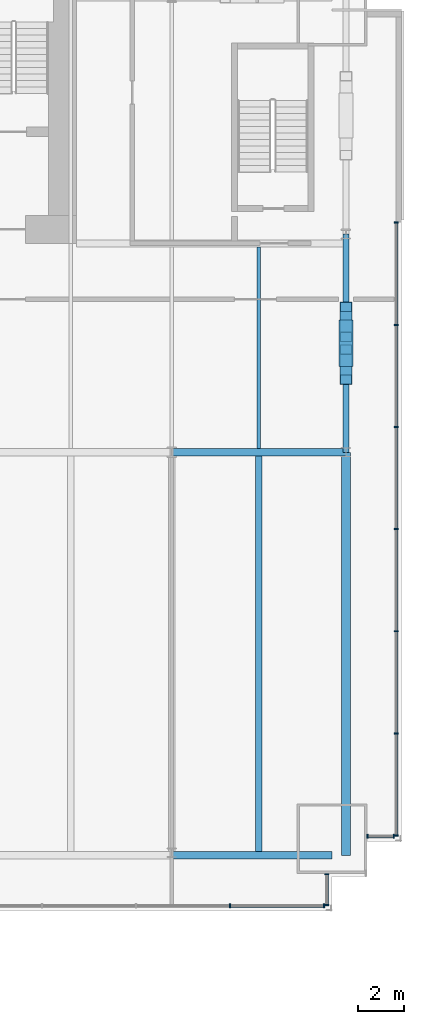
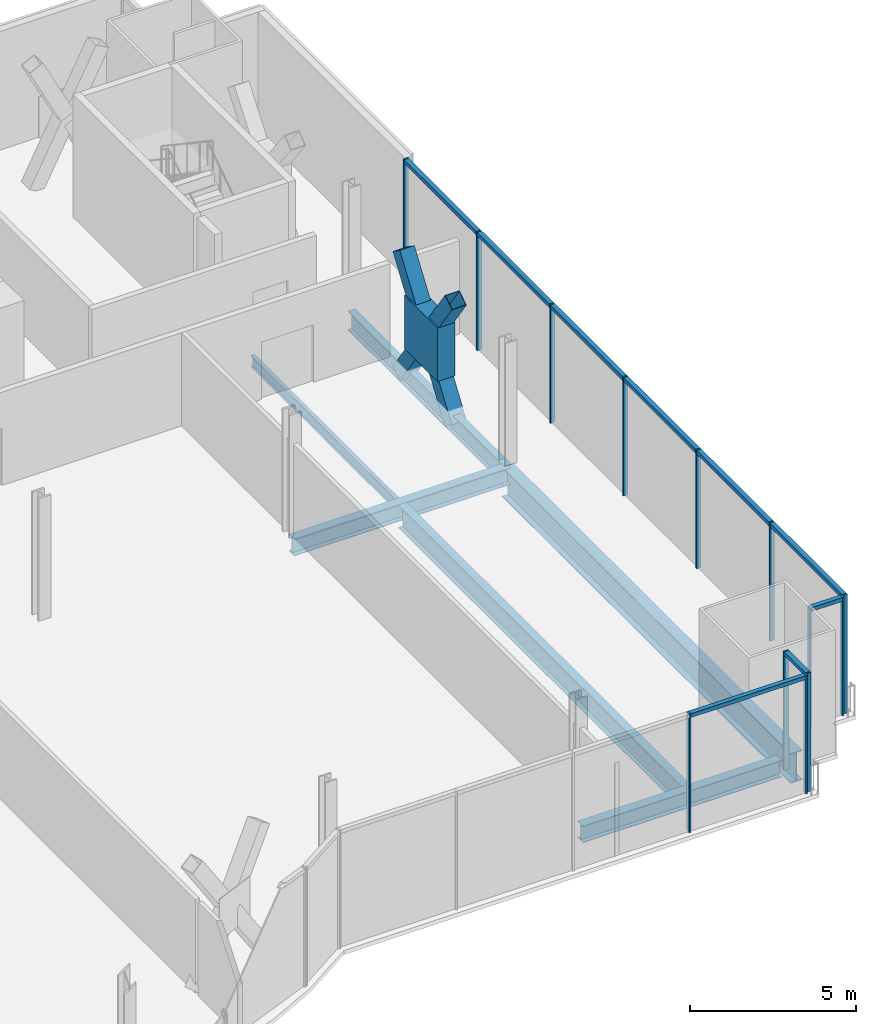
# One storey, part 12 of 22: 27 members, 6 beams, 4 elements without a shape of their own.
"""IFC4 building model written with IfcOpenShell, lengths in metres."""

from ifc_helpers import new_model, si_unit, direction, frame, origin, origin_2d, place, context, subcontext, project, spatial, rectangle, hollow_rectangle, i_section, extrude, material, material_profile, profile_set, type_object, element, aggregate, save


model = new_model("IFC4")

# Units and contexts
model_context = context("Model", 3, precision=1e-05, world=origin(), true_north=direction((0.0, 1.0)))
body_context = subcontext(model_context, "Body", "Model", "MODEL_VIEW")
ifc_project = project(units=[si_unit("LENGTHUNIT", "METRE"), si_unit("AREAUNIT", "SQUARE_METRE"), si_unit("VOLUMEUNIT", "CUBIC_METRE"), si_unit("PLANEANGLEUNIT", "RADIAN"), si_unit("MASSUNIT", "GRAM", prefix="KILO")], contexts=[model_context])

# Site, building, storey
site_placement = place(None, origin())
site = spatial("IfcSite", under=ifc_project, at=site_placement, CompositionType="ELEMENT")
building_placement = place(site_placement, origin())
building = spatial("IfcBuilding", under=site, at=building_placement, Name="Bicima Exchange Tower", CompositionType="ELEMENT")
storey_placement = place(building_placement, frame((0.0, 0.0, 39.5)))
storey = spatial("IfcBuildingStorey", under=building, at=storey_placement, Name="L07", CompositionType="ELEMENT", Elevation=39.5)

# Member
ifc_material_1 = material(Name="Steel ASTM A572 Gr 50", Category="steel")
ifc_material_profile_1 = material_profile(ifc_material_1, rectangle(XDim=0.60791015625, YDim=1.985107421875, at=origin_2d()))
ifc_profile_set_1 = profile_set([ifc_material_profile_1], Name="Steel ASTM A572 Gr 50")
member_type_1 = type_object("IfcMemberType", Name="Brace crossing node 608 x 1985", PredefinedType="POST", material=ifc_profile_set_1)
member_1_placement = place(storey_placement, frame((33.60009765625, -17.300048828125, 0.770751953125), z_axis=(0.0, 0.0, 1.0), x_axis=(1.0, 0.0, 0.0)))
element("IfcMember", 1, at=member_1_placement, inside=storey, type_object=member_type_1, Name="Brace crossing node block", PredefinedType="POST", context=body_context, shape_type="SweptSolid", body=[
    extrude(rectangle(XDim=0.60791015625, YDim=1.985107421875, at=origin_2d()), origin(), (0.0, 0.0, 1.0), 1.965087890625),
])

# Curtain wall, members
ifc_material_2 = material(Name="Anodised bronze aluminium", Category="aluminium")
curtain_wall_type_1 = type_object("IfcCurtainWallType", Name="End face glass wall", PredefinedType="NOTDEFINED", material=ifc_material_2)
curtain_wall_1_placement = place(storey_placement, origin())
curtain_wall_1 = element("IfcCurtainWall", 2, at=curtain_wall_1_placement, inside=storey, type_object=curtain_wall_type_1, Name="End face glass wall L07 run 19", PredefinedType="NOTDEFINED")
ifc_material_profile_2 = material_profile(ifc_material_2, rectangle(XDim=0.159912109375, YDim=0.06005859375, at=origin_2d()))
ifc_profile_set_2 = profile_set([ifc_material_profile_2], Name="Anodised bronze aluminium")
member_type_2 = type_object("IfcMemberType", Name="End face glass wall mullion 60 x 160", PredefinedType="MULLION", material=ifc_profile_set_2)
member_2_placement = place(storey_placement, frame((35.77001953125, -38.49609375, 0.0), z_axis=(0.0, 0.0, 1.0), x_axis=(-1.0, 0.0, 0.0)))
member_2 = element("IfcMember", 3, at=member_2_placement, type_object=member_type_2, Name="End face glass wall mullion 1", PredefinedType="MULLION", context=body_context, shape_type="SweptSolid", body=[
    extrude(rectangle(XDim=0.159912109375, YDim=0.06005859375, at=origin_2d()), origin(), (0.0, 0.0, 1.0), 4.35009765625),
])
member_3_placement = place(storey_placement, frame((35.77001953125, -34.098388671875, 0.0), z_axis=(0.0, 0.0, 1.0), x_axis=(-1.0, 0.0, 0.0)))
member_3 = element("IfcMember", 4, at=member_3_placement, type_object=member_type_2, Name="End face glass wall mullion 2", PredefinedType="MULLION", context=body_context, shape_type="SweptSolid", body=[
    extrude(rectangle(XDim=0.159912109375, YDim=0.06005859375, at=origin_2d()), origin(), (0.0, 0.0, 1.0), 4.35009765625),
])
member_4_placement = place(storey_placement, frame((35.77001953125, -29.70068359375, 0.0), z_axis=(0.0, 0.0, 1.0), x_axis=(-1.0, 0.0, 0.0)))
member_4 = element("IfcMember", 5, at=member_4_placement, type_object=member_type_2, Name="End face glass wall mullion 3", PredefinedType="MULLION", context=body_context, shape_type="SweptSolid", body=[
    extrude(rectangle(XDim=0.159912109375, YDim=0.06005859375, at=origin_2d()), origin(), (0.0, 0.0, 1.0), 4.35009765625),
])
member_5_placement = place(storey_placement, frame((35.77001953125, -25.302978515625, 0.0), z_axis=(0.0, 0.0, 1.0), x_axis=(-1.0, 0.0, 0.0)))
member_5 = element("IfcMember", 6, at=member_5_placement, type_object=member_type_2, Name="End face glass wall mullion 4", PredefinedType="MULLION", context=body_context, shape_type="SweptSolid", body=[
    extrude(rectangle(XDim=0.159912109375, YDim=0.06005859375, at=origin_2d()), origin(), (0.0, 0.0, 1.0), 4.35009765625),
])
member_6_placement = place(storey_placement, frame((35.77001953125, -20.9052734375, 0.0), z_axis=(0.0, 0.0, 1.0), x_axis=(-1.0, 0.0, 0.0)))
member_6 = element("IfcMember", 7, at=member_6_placement, type_object=member_type_2, Name="End face glass wall mullion 5", PredefinedType="MULLION", context=body_context, shape_type="SweptSolid", body=[
    extrude(rectangle(XDim=0.159912109375, YDim=0.06005859375, at=origin_2d()), origin(), (0.0, 0.0, 1.0), 4.35009765625),
])
member_7_placement = place(storey_placement, frame((35.77001953125, -16.5078125, 0.0), z_axis=(0.0, 0.0, 1.0), x_axis=(-1.0, 0.0, 0.0)))
member_7 = element("IfcMember", 8, at=member_7_placement, type_object=member_type_2, Name="End face glass wall mullion 6", PredefinedType="MULLION", context=body_context, shape_type="SweptSolid", body=[
    extrude(rectangle(XDim=0.159912109375, YDim=0.06005859375, at=origin_2d()), origin(), (0.0, 0.0, 1.0), 4.35009765625),
])
member_8_placement = place(storey_placement, frame((35.77001953125, -12.110107421875, 0.0), z_axis=(0.0, 0.0, 1.0), x_axis=(-1.0, 0.0, 0.0)))
member_8 = element("IfcMember", 9, at=member_8_placement, type_object=member_type_2, Name="End face glass wall mullion 7", PredefinedType="MULLION", context=body_context, shape_type="SweptSolid", body=[
    extrude(rectangle(XDim=0.159912109375, YDim=0.06005859375, at=origin_2d()), origin(), (0.0, 0.0, 1.0), 4.35009765625),
])
ifc_material_profile_3 = material_profile(ifc_material_2, rectangle(XDim=0.159912109375, YDim=0.139892578125, at=origin_2d()))
ifc_profile_set_3 = profile_set([ifc_material_profile_3], Name="Anodised bronze aluminium")
member_type_3 = type_object("IfcMemberType", Name="End face glass wall transom 140 x 160", PredefinedType="USERDEFINED", material=ifc_profile_set_3)
member_9_placement = place(storey_placement, frame((35.77001953125, -38.466064453125, 4.280029296875), z_axis=(0.0, 1.0, 0.0), x_axis=(-1.0, 0.0, 0.0)))
member_9 = element("IfcMember", 10, at=member_9_placement, type_object=member_type_3, Name="End face glass wall transom 1.1", ObjectType="TRANSOM", PredefinedType="USERDEFINED", context=body_context, shape_type="SweptSolid", body=[
    extrude(rectangle(XDim=0.159912109375, YDim=0.139892578125, at=origin_2d()), origin(), (0.0, 0.0, 1.0), 4.337646484375),
])
member_10_placement = place(storey_placement, frame((35.77001953125, -34.068359375, 4.280029296875), z_axis=(0.0, 1.0, 0.0), x_axis=(-1.0, 0.0, 0.0)))
member_10 = element("IfcMember", 11, at=member_10_placement, type_object=member_type_3, Name="End face glass wall transom 2.1", ObjectType="TRANSOM", PredefinedType="USERDEFINED", context=body_context, shape_type="SweptSolid", body=[
    extrude(rectangle(XDim=0.159912109375, YDim=0.139892578125, at=origin_2d()), origin(), (0.0, 0.0, 1.0), 4.337646484375),
])
member_11_placement = place(storey_placement, frame((35.77001953125, -29.670654296875, 4.280029296875), z_axis=(0.0, 1.0, 0.0), x_axis=(-1.0, 0.0, 0.0)))
member_11 = element("IfcMember", 12, at=member_11_placement, type_object=member_type_3, Name="End face glass wall transom 3.1", ObjectType="TRANSOM", PredefinedType="USERDEFINED", context=body_context, shape_type="SweptSolid", body=[
    extrude(rectangle(XDim=0.159912109375, YDim=0.139892578125, at=origin_2d()), origin(), (0.0, 0.0, 1.0), 4.337646484375),
])
member_12_placement = place(storey_placement, frame((35.77001953125, -25.27294921875, 4.280029296875), z_axis=(0.0, 1.0, 0.0), x_axis=(-1.0, 0.0, 0.0)))
member_12 = element("IfcMember", 13, at=member_12_placement, type_object=member_type_3, Name="End face glass wall transom 4.1", ObjectType="TRANSOM", PredefinedType="USERDEFINED", context=body_context, shape_type="SweptSolid", body=[
    extrude(rectangle(XDim=0.159912109375, YDim=0.139892578125, at=origin_2d()), origin(), (0.0, 0.0, 1.0), 4.337646484375),
])
member_13_placement = place(storey_placement, frame((35.77001953125, -20.875244140625, 4.280029296875), z_axis=(0.0, 1.0, 0.0), x_axis=(-1.0, 0.0, 0.0)))
member_13 = element("IfcMember", 14, at=member_13_placement, type_object=member_type_3, Name="End face glass wall transom 5.1", ObjectType="TRANSOM", PredefinedType="USERDEFINED", context=body_context, shape_type="SweptSolid", body=[
    extrude(rectangle(XDim=0.159912109375, YDim=0.139892578125, at=origin_2d()), origin(), (0.0, 0.0, 1.0), 4.337646484375),
])
member_14_placement = place(storey_placement, frame((35.77001953125, -16.477783203125, 4.280029296875), z_axis=(0.0, 1.0, 0.0), x_axis=(-1.0, 0.0, 0.0)))
member_14 = element("IfcMember", 15, at=member_14_placement, type_object=member_type_3, Name="End face glass wall transom 6.1", ObjectType="TRANSOM", PredefinedType="USERDEFINED", context=body_context, shape_type="SweptSolid", body=[
    extrude(rectangle(XDim=0.159912109375, YDim=0.139892578125, at=origin_2d()), origin(), (0.0, 0.0, 1.0), 4.337890625),
])
aggregate(curtain_wall_1, [member_2, member_3, member_4, member_5, member_6, member_7, member_8, member_9, member_10, member_11, member_12, member_13, member_14])

# Beams
ifc_material_3 = material(Name="Steel ASTM A992 Gr 50", Category="steel")
ifc_material_profile_4 = material_profile(ifc_material_3, i_section(OverallWidth=0.256591796875, OverallDepth=0.693359375, WebThickness=0.014404296875, FlangeThickness=0.023681640625, at=origin_2d()))
ifc_profile_set_4 = profile_set([ifc_material_profile_4], Name="Steel ASTM A992 Gr 50")
beam_type_1 = type_object("IfcBeamType", Name="End girder W27x114", PredefinedType="BEAM", material=ifc_profile_set_4)
beam_1_placement = place(storey_placement, frame((33.60009765625, -12.60009765625, -0.49658203125), z_axis=(0.0, -1.0, 0.0), x_axis=(1.0, 0.0, 0.0)))
element("IfcBeam", 16, at=beam_1_placement, inside=storey, type_object=beam_type_1, Name="End girder", PredefinedType="BEAM", context=body_context, shape_type="SweptSolid", body=[
    extrude(i_section(OverallWidth=0.256591796875, OverallDepth=0.693359375, WebThickness=0.014404296875, FlangeThickness=0.023681640625, at=origin_2d()), origin(), (0.0, 0.0, 1.0), 9.39990234375),
])
ifc_material_profile_5 = material_profile(ifc_material_3, i_section(OverallWidth=0.4013671875, OverallDepth=1.089599609375, WebThickness=0.01806640625, FlangeThickness=0.031005859375, at=origin_2d()))
ifc_profile_set_5 = profile_set([ifc_material_profile_5], Name="Steel ASTM A992 Gr 50")
beam_type_2 = type_object("IfcBeamType", Name="End girder W44x230", PredefinedType="BEAM", material=ifc_profile_set_5)
beam_2_placement = place(storey_placement, frame((33.60009765625, -22.0, -0.69482421875), z_axis=(0.0, -1.0, 0.0), x_axis=(1.0, 0.0, 0.0)))
element("IfcBeam", 17, at=beam_2_placement, inside=storey, type_object=beam_type_2, Name="End girder", PredefinedType="BEAM", context=body_context, shape_type="SweptSolid", body=[
    extrude(i_section(OverallWidth=0.4013671875, OverallDepth=1.089599609375, WebThickness=0.01806640625, FlangeThickness=0.031005859375, at=origin_2d()), origin(), (0.0, 0.0, 1.0), 17.35595703125),
])
ifc_material_profile_6 = material_profile(ifc_material_3, i_section(OverallWidth=0.140380859375, OverallDepth=0.40380859375, WebThickness=0.007080078125, FlangeThickness=0.01123046875, at=origin_2d()))
ifc_profile_set_6 = profile_set([ifc_material_profile_6], Name="Steel ASTM A992 Gr 50")
beam_type_3 = type_object("IfcBeamType", Name="Floor beam W16x31", PredefinedType="JOIST", material=ifc_profile_set_6)
beam_3_placement = place(storey_placement, frame((29.85009765625, -13.15234375, -0.351806640625), z_axis=(0.0, -1.0, 0.0), x_axis=(1.0, 0.0, 0.0)))
element("IfcBeam", 18, at=beam_3_placement, inside=storey, type_object=beam_type_3, Name="Floor beam", PredefinedType="JOIST", context=body_context, shape_type="SweptSolid", body=[
    extrude(i_section(OverallWidth=0.140380859375, OverallDepth=0.40380859375, WebThickness=0.007080078125, FlangeThickness=0.01123046875, at=origin_2d()), origin(), (0.0, 0.0, 1.0), 8.68505859375),
])
ifc_material_profile_7 = material_profile(ifc_material_3, i_section(OverallWidth=0.2919921875, OverallDepth=0.835693359375, WebThickness=0.013916015625, FlangeThickness=0.018798828125, at=origin_2d()))
ifc_profile_set_7 = profile_set([ifc_material_profile_7], Name="Steel ASTM A992 Gr 50")
beam_type_4 = type_object("IfcBeamType", Name="Floor beam W33x118", PredefinedType="JOIST", material=ifc_profile_set_7)
beam_4_placement = place(storey_placement, frame((29.85009765625, -22.16259765625, -0.56787109375), z_axis=(0.0, -1.0, 0.0), x_axis=(1.0, 0.0, 0.0)))
element("IfcBeam", 19, at=beam_4_placement, inside=storey, type_object=beam_type_4, Name="Floor beam", PredefinedType="JOIST", context=body_context, shape_type="SweptSolid", body=[
    extrude(i_section(OverallWidth=0.2919921875, OverallDepth=0.835693359375, WebThickness=0.013916015625, FlangeThickness=0.018798828125, at=origin_2d()), origin(), (0.0, 0.0, 1.0), 17.03076171875),
])
ifc_material_profile_8 = material_profile(ifc_material_3, i_section(OverallWidth=0.3251953125, OverallDepth=0.612060546875, WebThickness=0.0126953125, FlangeThickness=0.01904296875, at=origin_2d()))
ifc_profile_set_8 = profile_set([ifc_material_profile_8], Name="Steel ASTM A992 Gr 50")
beam_type_5 = type_object("IfcBeamType", Name="Front girder W24x104", PredefinedType="BEAM", material=ifc_profile_set_8)
beam_5_placement = place(storey_placement, frame((26.10009765625, -39.35595703125, -0.4560546875), z_axis=(1.0, 0.0, 0.0), x_axis=(0.0, 1.0, 0.0)))
element("IfcBeam", 20, at=beam_5_placement, inside=storey, type_object=beam_type_5, Name="Front girder", PredefinedType="BEAM", context=body_context, shape_type="SweptSolid", body=[
    extrude(i_section(OverallWidth=0.3251953125, OverallDepth=0.612060546875, WebThickness=0.0126953125, FlangeThickness=0.01904296875, at=origin_2d()), origin(), (0.0, 0.0, 1.0), 6.89990234375),
])

# Curtain wall, members
curtain_wall_type_2 = type_object("IfcCurtainWallType", Name="Front glass wall", PredefinedType="NOTDEFINED", material=ifc_material_2)
curtain_wall_2_placement = place(storey_placement, origin())
curtain_wall_2 = element("IfcCurtainWall", 21, at=curtain_wall_2_placement, inside=storey, type_object=curtain_wall_type_2, Name="Front glass wall L07 run 16", PredefinedType="NOTDEFINED")
member_type_4 = type_object("IfcMemberType", Name="Front glass wall mullion 60 x 160", PredefinedType="MULLION", material=ifc_profile_set_2)
member_15_placement = place(storey_placement, frame((28.610595703125, -41.52587890625, 0.0), z_axis=(0.0, 0.0, 1.0), x_axis=(0.0, 1.0, 0.0)))
member_15 = element("IfcMember", 22, at=member_15_placement, type_object=member_type_4, Name="Front glass wall mullion 4", PredefinedType="MULLION", context=body_context, shape_type="SweptSolid", body=[
    extrude(rectangle(XDim=0.159912109375, YDim=0.06005859375, at=origin_2d()), origin(), (0.0, 0.0, 1.0), 4.35009765625),
])
member_16_placement = place(storey_placement, frame((32.659912109375, -41.52587890625, 0.0), z_axis=(0.0, 0.0, 1.0), x_axis=(0.0, 1.0, 0.0)))
member_16 = element("IfcMember", 23, at=member_16_placement, type_object=member_type_4, Name="Front glass wall mullion 5", PredefinedType="MULLION", context=body_context, shape_type="SweptSolid", body=[
    extrude(rectangle(XDim=0.159912109375, YDim=0.06005859375, at=origin_2d()), origin(), (0.0, 0.0, 1.0), 4.35009765625),
])

curtain_wall_3_placement = place(storey_placement, origin())
curtain_wall_3 = element("IfcCurtainWall", 24, at=curtain_wall_3_placement, inside=storey, type_object=curtain_wall_type_2, Name="Front glass wall L07 run 17", PredefinedType="NOTDEFINED")
member_17_placement = place(storey_placement, frame((32.77001953125, -41.49609375, 0.0), z_axis=(0.0, 0.0, 1.0), x_axis=(-1.0, 0.0, 0.0)))
member_17 = element("IfcMember", 25, at=member_17_placement, type_object=member_type_4, Name="Front glass wall mullion 1", PredefinedType="MULLION", context=body_context, shape_type="SweptSolid", body=[
    extrude(rectangle(XDim=0.159912109375, YDim=0.06005859375, at=origin_2d()), origin(), (0.0, 0.0, 1.0), 4.35009765625),
])
member_18_placement = place(storey_placement, frame((32.77001953125, -40.1640625, 0.0), z_axis=(0.0, 0.0, 1.0), x_axis=(-1.0, 0.0, 0.0)))
member_18 = element("IfcMember", 26, at=member_18_placement, type_object=member_type_4, Name="Front glass wall mullion 2", PredefinedType="MULLION", context=body_context, shape_type="SweptSolid", body=[
    extrude(rectangle(XDim=0.159912109375, YDim=0.06005859375, at=origin_2d()), origin(), (0.0, 0.0, 1.0), 4.35009765625),
])

curtain_wall_4_placement = place(storey_placement, origin())
curtain_wall_4 = element("IfcCurtainWall", 27, at=curtain_wall_4_placement, inside=storey, type_object=curtain_wall_type_2, Name="Front glass wall L07 run 18", PredefinedType="NOTDEFINED")
member_19_placement = place(storey_placement, frame((34.530029296875, -38.52587890625, 0.0), z_axis=(0.0, 0.0, 1.0), x_axis=(0.0, 1.0, 0.0)))
member_19 = element("IfcMember", 28, at=member_19_placement, type_object=member_type_4, Name="Front glass wall mullion 1", PredefinedType="MULLION", context=body_context, shape_type="SweptSolid", body=[
    extrude(rectangle(XDim=0.159912109375, YDim=0.06005859375, at=origin_2d()), origin(), (0.0, 0.0, 1.0), 4.35009765625),
])
member_20_placement = place(storey_placement, frame((35.659912109375, -38.52587890625, 0.0), z_axis=(0.0, 0.0, 1.0), x_axis=(0.0, 1.0, 0.0)))
member_20 = element("IfcMember", 29, at=member_20_placement, type_object=member_type_4, Name="Front glass wall mullion 2", PredefinedType="MULLION", context=body_context, shape_type="SweptSolid", body=[
    extrude(rectangle(XDim=0.159912109375, YDim=0.06005859375, at=origin_2d()), origin(), (0.0, 0.0, 1.0), 4.35009765625),
])

# Member
member_type_5 = type_object("IfcMemberType", Name="Front glass wall transom 140 x 160", PredefinedType="USERDEFINED", material=ifc_profile_set_3)
member_21_placement = place(storey_placement, frame((28.640380859375, -41.52587890625, 4.280029296875), z_axis=(1.0, 0.0, 0.0), x_axis=(0.0, 1.0, 0.0)))
member_21 = element("IfcMember", 30, at=member_21_placement, type_object=member_type_5, Name="Front glass wall transom 4.1", ObjectType="TRANSOM", PredefinedType="USERDEFINED", context=body_context, shape_type="SweptSolid", body=[
    extrude(rectangle(XDim=0.159912109375, YDim=0.139892578125, at=origin_2d()), origin(), (0.0, 0.0, 1.0), 3.989501953125),
])

aggregate(curtain_wall_2, [member_15, member_16, member_21])

member_22_placement = place(storey_placement, frame((32.77001953125, -41.466064453125, 4.280029296875), z_axis=(0.0, 1.0, 0.0), x_axis=(-1.0, 0.0, 0.0)))
member_22 = element("IfcMember", 31, at=member_22_placement, type_object=member_type_5, Name="Front glass wall transom 1.1", ObjectType="TRANSOM", PredefinedType="USERDEFINED", context=body_context, shape_type="SweptSolid", body=[
    extrude(rectangle(XDim=0.159912109375, YDim=0.139892578125, at=origin_2d()), origin(), (0.0, 0.0, 1.0), 1.27197265625),
])

aggregate(curtain_wall_3, [member_17, member_18, member_22])

member_23_placement = place(storey_placement, frame((34.56005859375, -38.52587890625, 4.280029296875), z_axis=(1.0, 0.0, 0.0), x_axis=(0.0, 1.0, 0.0)))
member_23 = element("IfcMember", 32, at=member_23_placement, type_object=member_type_5, Name="Front glass wall transom 1.1", ObjectType="TRANSOM", PredefinedType="USERDEFINED", context=body_context, shape_type="SweptSolid", body=[
    extrude(rectangle(XDim=0.159912109375, YDim=0.139892578125, at=origin_2d()), origin(), (0.0, 0.0, 1.0), 1.06982421875),
])

aggregate(curtain_wall_4, [member_19, member_20, member_23])

# Members
ifc_material_profile_9 = material_profile(ifc_material_1, hollow_rectangle(XDim=0.508056640625, YDim=0.508056640625, WallThickness=0.017822265625, at=origin_2d()))
ifc_profile_set_9 = profile_set([ifc_material_profile_9], Name="Steel ASTM A572 Gr 50")
member_type_6 = type_object("IfcMemberType", Name="Mega brace HSS20x20x3/4", PredefinedType="BRACE", material=ifc_profile_set_9)
member_24_placement = place(storey_placement, frame((33.60009765625, -15.7333984375, -0.49658203125), z_axis=(0.0, -0.57138627015, 0.820681259859), x_axis=(1.0, 0.0, 0.0)))
element("IfcMember", 33, at=member_24_placement, inside=storey, type_object=member_type_6, Name="Mega brace east end", PredefinedType="BRACE", context=body_context, shape_type="SweptSolid", body=[
    extrude(hollow_rectangle(XDim=0.508056640625, YDim=0.508056640625, WallThickness=0.017822265625, at=origin_2d()), origin(), (0.0, 0.0, 1.0), 2.26708984375),
])
member_25_placement = place(storey_placement, frame((33.60009765625, -17.571044921875, 2.142578125), z_axis=(0.0, -0.571408298474, 0.82066592255), x_axis=(1.0, 0.0, 0.0)))
element("IfcMember", 34, at=member_25_placement, inside=storey, type_object=member_type_6, Name="Mega brace east end", PredefinedType="BRACE", context=body_context, shape_type="SweptSolid", body=[
    extrude(hollow_rectangle(XDim=0.508056640625, YDim=0.508056640625, WallThickness=0.017822265625, at=origin_2d()), origin(), (0.0, 0.0, 1.0), 2.267578125),
])
for number, where, z_axis, x_axis, name in (
    (35, (33.60009765625, -18.86669921875, -0.49658203125), (0.0, 0.571458792439, 0.820630762611), (-1.0, 0.0, 0.0), "Mega brace east end"),
    (36, (33.60009765625, -17.02880859375, 2.142578125), (0.0, 0.571335776381, 0.820716413037), (-1.0, 0.0, 0.0), "Mega brace east end"),
):
    element("IfcMember", number, at=place(storey_placement, frame(where, z_axis=z_axis, x_axis=x_axis)), inside=storey, type_object=member_type_6, Name=name, PredefinedType="BRACE", context=body_context, shape_type="SweptSolid", body=[
        extrude(hollow_rectangle(XDim=0.508056640625, YDim=0.508056640625, WallThickness=0.017822265625, at=origin_2d()), origin(), (0.0, 0.0, 1.0), 2.267333984375),
    ])

# Beam
beam_type_6 = type_object("IfcBeamType", Name="Row girder W24x104", PredefinedType="BEAM", material=ifc_profile_set_8)
beam_6_placement = place(storey_placement, frame((26.10009765625, -22.0, -0.4560546875), z_axis=(1.0, 0.0, 0.0), x_axis=(0.0, 1.0, 0.0)))
element("IfcBeam", 37, at=beam_6_placement, inside=storey, type_object=beam_type_6, Name="Row girder", PredefinedType="BEAM", context=body_context, shape_type="SweptSolid", body=[
    extrude(i_section(OverallWidth=0.3251953125, OverallDepth=0.612060546875, WebThickness=0.0126953125, FlangeThickness=0.01904296875, at=origin_2d()), origin(), (0.0, 0.0, 1.0), 7.5),
])

save(model, "model.ifc")
